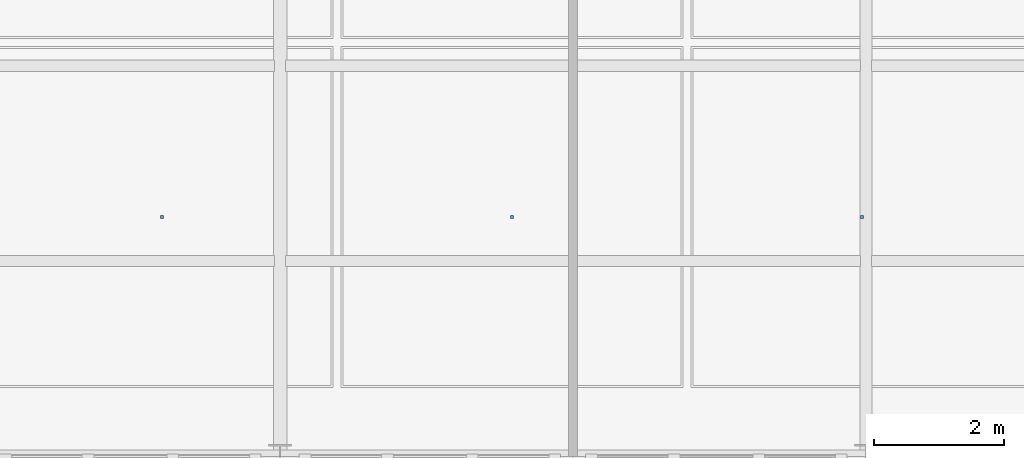
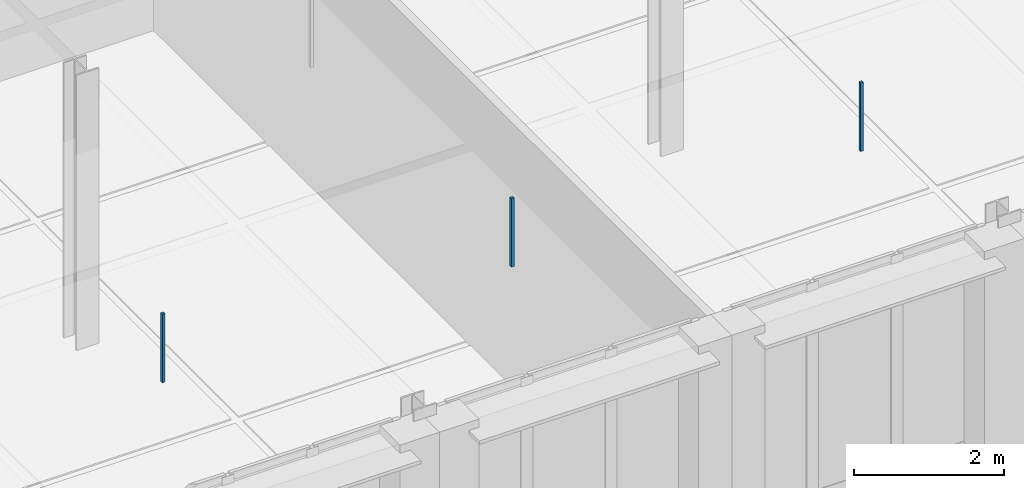
# One storey, part 121 of 140: 3 discrete accessories.
"""IFC4 building model written with IfcOpenShell, lengths in metres."""

from ifc_helpers import new_model, si_unit, direction, frame, origin, origin_2d, place, context, subcontext, project, spatial, rectangle, extrude, material, type_object, element, save


model = new_model("IFC4")

# Units and contexts
model_context = context("Model", 3, precision=1e-05, world=origin(), true_north=direction((0.0, 1.0)))
body_context = subcontext(model_context, "Body", "Model", "MODEL_VIEW")
ifc_project = project(units=[si_unit("LENGTHUNIT", "METRE"), si_unit("AREAUNIT", "SQUARE_METRE"), si_unit("VOLUMEUNIT", "CUBIC_METRE"), si_unit("PLANEANGLEUNIT", "RADIAN"), si_unit("MASSUNIT", "GRAM", prefix="KILO"), si_unit("THERMODYNAMICTEMPERATUREUNIT", "KELVIN"), si_unit("POWERUNIT", "WATT")], contexts=[model_context])

# Site, building, storey
site_placement = place(None, origin())
site = spatial("IfcSite", under=ifc_project, at=site_placement, CompositionType="ELEMENT")
building_placement = place(site_placement, origin())
building = spatial("IfcBuilding", under=site, at=building_placement, Name="Tallowbark Science Centre", CompositionType="ELEMENT")
storey_placement = place(building_placement, frame((0.0, 0.0, 9.89990234375)))
storey = spatial("IfcBuildingStorey", under=building, at=storey_placement, Name="L02", CompositionType="ELEMENT", Elevation=9.89990234375)

# Discrete accessories
ifc_material = material(Name="Galvanised Steel Grade C350L0 (350 MPa)", Category="steel")
discrete_accessory_type = type_object("IfcDiscreteAccessoryType", Name="ACC-CLG-HNG", PredefinedType="BRACKET", material=ifc_material)
for number, where, z_axis, x_axis, name in (
    (1, (137.6875, 75.6787109375, 3.2060546875), (0.0, 0.0, 1.0), (1.0, 0.0, 0.0), "Ceiling Hanger Bracket L02-922"),
    (2, (143.0625, 75.6787109375, 3.2060546875), (0.0, 0.0, 1.0), (1.0, 0.0, 0.0), "Ceiling Hanger Bracket L02-927"),
    (3, (148.4375, 75.6787109375, 3.2060546875), (0.0, 0.0, 1.0), (1.0, 0.0, 0.0), "Ceiling Hanger Bracket L02-932"),
):
    element("IfcDiscreteAccessory", number, at=place(storey_placement, frame(where, z_axis=z_axis, x_axis=x_axis)), inside=storey, type_object=discrete_accessory_type, Name=name, PredefinedType="BRACKET", context=body_context, shape_type="SweptSolid", body=[
        extrude(rectangle(XDim=0.044921875, YDim=0.044921875, at=origin_2d()), origin(), (0.0, 0.0, 1.0), 1.116943359375),
    ])

save(model, "model.ifc")
